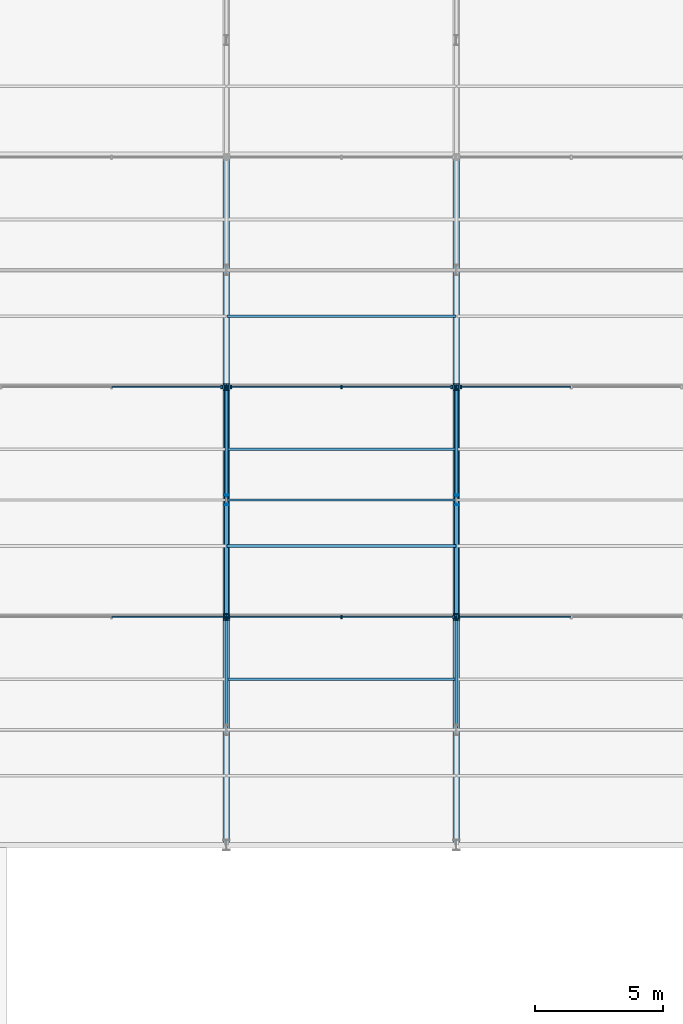
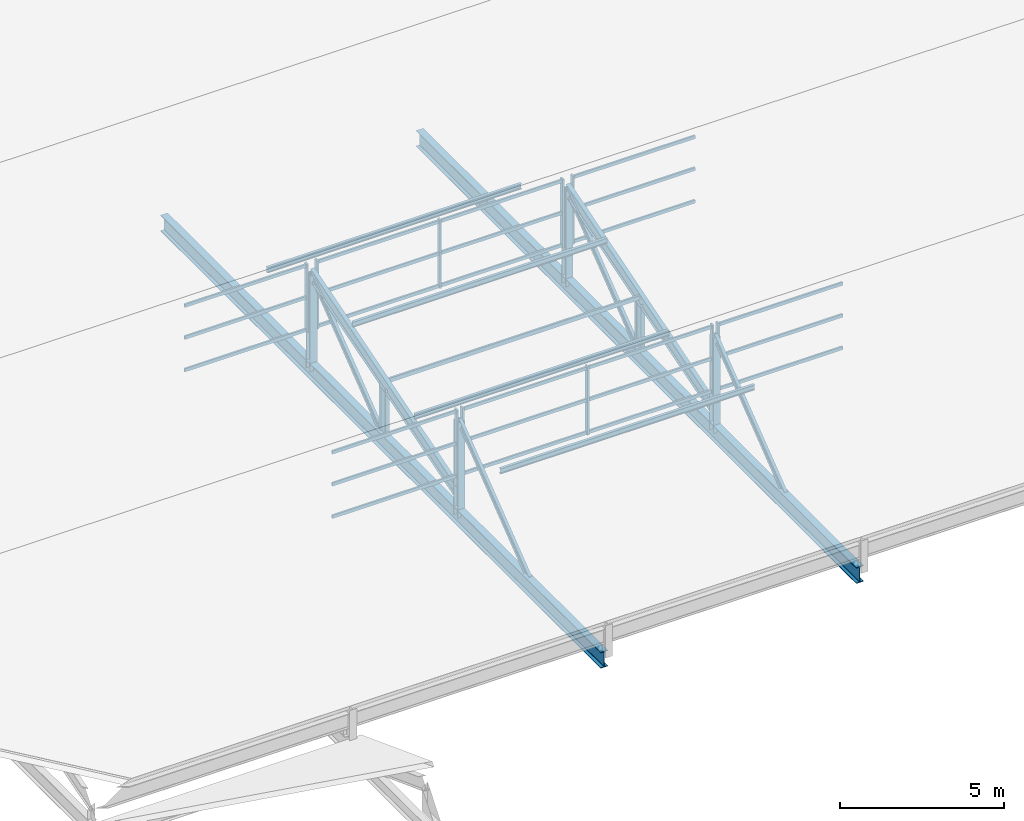
# One storey, part 67 of 163: 51 members, 2 beams, 6 elements without a shape of their own.
"""IFC4 building model written with IfcOpenShell, lengths in metres."""

from ifc_helpers import new_model, si_unit, direction, frame, origin, origin_2d, place, context, subcontext, project, spatial, rectangle, hollow_rectangle, i_section, extrude, material, material_profile, profile_set, type_object, element, aggregate, save


model = new_model("IFC4")

# Units and contexts
model_context = context("Model", 3, precision=1e-05, world=origin(), true_north=direction((0.0, 1.0)))
body_context = subcontext(model_context, "Body", "Model", "MODEL_VIEW")
ifc_project = project(units=[si_unit("LENGTHUNIT", "METRE"), si_unit("AREAUNIT", "SQUARE_METRE"), si_unit("VOLUMEUNIT", "CUBIC_METRE"), si_unit("PLANEANGLEUNIT", "RADIAN"), si_unit("MASSUNIT", "GRAM", prefix="KILO")], contexts=[model_context])

# Site, building, storey
site_placement = place(None, origin())
site = spatial("IfcSite", under=ifc_project, at=site_placement, CompositionType="ELEMENT")
building_placement = place(site_placement, origin())
building = spatial("IfcBuilding", under=site, at=building_placement, Name="Tharagai Park Tramway Depot", CompositionType="ELEMENT")
storey_placement = place(building_placement, frame((0.0, 0.0, 8.39990234375)))
storey = spatial("IfcBuildingStorey", under=building, at=storey_placement, Name="L02", CompositionType="ELEMENT", Elevation=8.39990234375)

# Beams
ifc_material_1 = material(Name="Steel E350", Category="steel")
ifc_material_profile_1 = material_profile(ifc_material_1, i_section(OverallWidth=0.25, OverallDepth=0.60009765625, WebThickness=0.01171875, FlangeThickness=0.023681640625, FilletRadius=0.01708984375, at=origin_2d()), Name="ISWB 600")
ifc_profile_set_1 = profile_set([ifc_material_profile_1], Name="Steel E350")
beam_type = type_object("IfcBeamType", Name="BM-01", PredefinedType="BEAM", material=ifc_profile_set_1)
for number, where, z_axis, x_axis, name in (
    (1, (99.0, 90.080078125, -0.25), (0.0, 1.0, 0.0), (-1.0, 0.0, 0.0), "Sawtooth Truss Bottom Tie Girder BM-01"),
    (2, (108.0, 90.080078125, -0.25), (0.0, 1.0, 0.0), (-1.0, 0.0, 0.0), "Sawtooth Truss Bottom Tie Girder BM-01"),
):
    element("IfcBeam", number, at=place(storey_placement, frame(where, z_axis=z_axis, x_axis=x_axis)), inside=storey, type_object=beam_type, Name=name, PredefinedType="BEAM", context=body_context, shape_type="SweptSolid", body=[
        extrude(i_section(OverallWidth=0.25, OverallDepth=0.60009765625, WebThickness=0.01171875, FlangeThickness=0.023681640625, FilletRadius=0.01708984375, at=origin_2d()), origin(), (0.0, 0.0, 1.0), 26.83984375),
    ])

# Members
ifc_material_profile_2 = material_profile(ifc_material_1, i_section(OverallWidth=0.25, OverallDepth=0.25, WebThickness=0.0087890625, FlangeThickness=0.009765625, FilletRadius=0.010009765625, at=origin_2d()), Name="ISHB 250")
ifc_profile_set_2 = profile_set([ifc_material_profile_2], Name="Steel E350")
member_type_1 = type_object("IfcMemberType", Name="BR-01", PredefinedType="BRACE", material=ifc_profile_set_2)
for number, where, z_axis, x_axis, name in (
    (3, (99.0, 98.919921875, -0.25), (0.0, 0.0, 1.0), (1.0, 0.0, 0.0), "Sawtooth North Vertical Post BR-01"),
    (4, (99.0, 107.919921875, -0.25), (0.0, 0.0, 1.0), (1.0, 0.0, 0.0), "Sawtooth North Vertical Post BR-01"),
    (5, (108.0, 98.919921875, -0.25), (0.0, 0.0, 1.0), (1.0, 0.0, 0.0), "Sawtooth North Vertical Post BR-01"),
    (6, (108.0, 107.919921875, -0.25), (0.0, 0.0, 1.0), (1.0, 0.0, 0.0), "Sawtooth North Vertical Post BR-01"),
):
    element("IfcMember", number, at=place(storey_placement, frame(where, z_axis=z_axis, x_axis=x_axis)), inside=storey, type_object=member_type_1, Name=name, PredefinedType="BRACE", context=body_context, shape_type="SweptSolid", body=[
        extrude(i_section(OverallWidth=0.25, OverallDepth=0.25, WebThickness=0.0087890625, FlangeThickness=0.009765625, FilletRadius=0.010009765625, at=origin_2d()), origin(), (0.0, 0.0, 1.0), 3.55517578125),
    ])
ifc_material_profile_3 = material_profile(ifc_material_1, i_section(OverallWidth=0.110107421875, OverallDepth=0.22509765625, WebThickness=0.006591796875, FlangeThickness=0.01171875, FilletRadius=0.011962890625, at=origin_2d()), Name="ISMB 225")
ifc_profile_set_3 = profile_set([ifc_material_profile_3], Name="Steel E350")
member_type_2 = type_object("IfcMemberType", Name="BR-04", PredefinedType="BRACE", material=ifc_profile_set_3)
for number, where, z_axis, x_axis, name in (
    (7, (99.0, 94.64990234375, 0.0), (0.0, 0.790781596, 0.612098413188), (-1.0, 0.0, 0.0), "Sawtooth Truss Web Diagonal BR-04"),
    (8, (99.0, 103.64990234375, 0.0), (0.0, 0.790781596, 0.612098413188), (-1.0, 0.0, 0.0), "Sawtooth Truss Web Diagonal BR-04"),
    (9, (108.0, 94.64990234375, 0.0), (0.0, 0.790781596, 0.612098413188), (-1.0, 0.0, 0.0), "Sawtooth Truss Web Diagonal BR-04"),
    (10, (108.0, 103.64990234375, 0.0), (0.0, 0.790781596, 0.612098413188), (-1.0, 0.0, 0.0), "Sawtooth Truss Web Diagonal BR-04"),
):
    element("IfcMember", number, at=place(storey_placement, frame(where, z_axis=z_axis, x_axis=x_axis)), inside=storey, type_object=member_type_2, Name=name, PredefinedType="BRACE", context=body_context, shape_type="SweptSolid", body=[
        extrude(i_section(OverallWidth=0.110107421875, OverallDepth=0.22509765625, WebThickness=0.006591796875, FlangeThickness=0.01171875, FilletRadius=0.011962890625, at=origin_2d()), origin(), (0.0, 0.0, 1.0), 5.399658203125),
    ])

# Curtain wall, members
ifc_material_2 = material(Name="Anodised aluminium", Category="aluminium")
curtain_wall_type_1 = type_object("IfcCurtainWallType", Name="CW-04", PredefinedType="NOTDEFINED", material=ifc_material_2)
curtain_wall_1_placement = place(storey_placement, origin())
curtain_wall_1 = element("IfcCurtainWall", 11, at=curtain_wall_1_placement, inside=storey, type_object=curtain_wall_type_1, Name="Sawtooth North-Light Clerestory CW-04", PredefinedType="NOTDEFINED")
ifc_material_profile_4 = material_profile(ifc_material_2, rectangle(XDim=0.06494140625, YDim=0.1201171875, at=origin_2d()), Name="ALU 65x120")
ifc_profile_set_4 = profile_set([ifc_material_profile_4], Name="Anodised aluminium")
member_type_3 = type_object("IfcMemberType", Name="CM-01", PredefinedType="USERDEFINED", material=ifc_profile_set_4)
member_1_placement = place(storey_placement, frame((94.514892578125, 98.919921875, 1.26513671875), z_axis=(1.0, 0.0, 0.0), x_axis=(0.0, 1.0, 0.0)))
member_1 = element("IfcMember", 12, at=member_1_placement, type_object=member_type_3, Name="Sawtooth North-Light Clerestory Transom 2.1", ObjectType="TRANSOM", PredefinedType="USERDEFINED", context=body_context, shape_type="SweptSolid", body=[
    extrude(rectangle(XDim=0.06494140625, YDim=0.1201171875, at=origin_2d()), origin(), (0.0, 0.0, 1.0), 4.3701171875),
])
member_2_placement = place(storey_placement, frame((94.514892578125, 98.919921875, 2.4736328125), z_axis=(1.0, 0.0, 0.0), x_axis=(0.0, 1.0, 0.0)))
member_2 = element("IfcMember", 13, at=member_2_placement, type_object=member_type_3, Name="Sawtooth North-Light Clerestory Transom 2.2", ObjectType="TRANSOM", PredefinedType="USERDEFINED", context=body_context, shape_type="SweptSolid", body=[
    extrude(rectangle(XDim=0.06494140625, YDim=0.1201171875, at=origin_2d()), origin(), (0.0, 0.0, 1.0), 4.3701171875),
])
member_3_placement = place(storey_placement, frame((94.514892578125, 98.919921875, 3.662353515625), z_axis=(1.0, 0.0, 0.0), x_axis=(0.0, 1.0, 0.0)))
member_3 = element("IfcMember", 14, at=member_3_placement, type_object=member_type_3, Name="Sawtooth North-Light Clerestory Transom 2.3", ObjectType="TRANSOM", PredefinedType="USERDEFINED", context=body_context, shape_type="SweptSolid", body=[
    extrude(rectangle(XDim=0.06494140625, YDim=0.1201171875, at=origin_2d()), origin(), (0.0, 0.0, 1.0), 4.3701171875),
])

curtain_wall_2_placement = place(storey_placement, origin())
curtain_wall_2 = element("IfcCurtainWall", 15, at=curtain_wall_2_placement, inside=storey, type_object=curtain_wall_type_1, Name="Sawtooth North-Light Clerestory CW-04", PredefinedType="NOTDEFINED")
member_4_placement = place(storey_placement, frame((99.114990234375, 98.919921875, 1.26513671875), z_axis=(1.0, 0.0, 0.0), x_axis=(0.0, 1.0, 0.0)))
member_4 = element("IfcMember", 16, at=member_4_placement, type_object=member_type_3, Name="Sawtooth North-Light Clerestory Transom 1.1", ObjectType="TRANSOM", PredefinedType="USERDEFINED", context=body_context, shape_type="SweptSolid", body=[
    extrude(rectangle(XDim=0.06494140625, YDim=0.1201171875, at=origin_2d()), origin(), (0.0, 0.0, 1.0), 4.3701171875),
])
member_5_placement = place(storey_placement, frame((99.114990234375, 98.919921875, 2.4736328125), z_axis=(1.0, 0.0, 0.0), x_axis=(0.0, 1.0, 0.0)))
member_5 = element("IfcMember", 17, at=member_5_placement, type_object=member_type_3, Name="Sawtooth North-Light Clerestory Transom 1.2", ObjectType="TRANSOM", PredefinedType="USERDEFINED", context=body_context, shape_type="SweptSolid", body=[
    extrude(rectangle(XDim=0.06494140625, YDim=0.1201171875, at=origin_2d()), origin(), (0.0, 0.0, 1.0), 4.3701171875),
])
member_6_placement = place(storey_placement, frame((99.114990234375, 98.919921875, 3.662353515625), z_axis=(1.0, 0.0, 0.0), x_axis=(0.0, 1.0, 0.0)))
member_6 = element("IfcMember", 18, at=member_6_placement, type_object=member_type_3, Name="Sawtooth North-Light Clerestory Transom 1.3", ObjectType="TRANSOM", PredefinedType="USERDEFINED", context=body_context, shape_type="SweptSolid", body=[
    extrude(rectangle(XDim=0.06494140625, YDim=0.1201171875, at=origin_2d()), origin(), (0.0, 0.0, 1.0), 4.3701171875),
])
member_7_placement = place(storey_placement, frame((103.514892578125, 98.919921875, 1.26513671875), z_axis=(1.0, 0.0, 0.0), x_axis=(0.0, 1.0, 0.0)))
member_7 = element("IfcMember", 19, at=member_7_placement, type_object=member_type_3, Name="Sawtooth North-Light Clerestory Transom 2.1", ObjectType="TRANSOM", PredefinedType="USERDEFINED", context=body_context, shape_type="SweptSolid", body=[
    extrude(rectangle(XDim=0.06494140625, YDim=0.1201171875, at=origin_2d()), origin(), (0.0, 0.0, 1.0), 4.3701171875),
])
member_8_placement = place(storey_placement, frame((103.514892578125, 98.919921875, 2.4736328125), z_axis=(1.0, 0.0, 0.0), x_axis=(0.0, 1.0, 0.0)))
member_8 = element("IfcMember", 20, at=member_8_placement, type_object=member_type_3, Name="Sawtooth North-Light Clerestory Transom 2.2", ObjectType="TRANSOM", PredefinedType="USERDEFINED", context=body_context, shape_type="SweptSolid", body=[
    extrude(rectangle(XDim=0.06494140625, YDim=0.1201171875, at=origin_2d()), origin(), (0.0, 0.0, 1.0), 4.3701171875),
])
member_9_placement = place(storey_placement, frame((103.514892578125, 98.919921875, 3.662353515625), z_axis=(1.0, 0.0, 0.0), x_axis=(0.0, 1.0, 0.0)))
member_9 = element("IfcMember", 21, at=member_9_placement, type_object=member_type_3, Name="Sawtooth North-Light Clerestory Transom 2.3", ObjectType="TRANSOM", PredefinedType="USERDEFINED", context=body_context, shape_type="SweptSolid", body=[
    extrude(rectangle(XDim=0.06494140625, YDim=0.1201171875, at=origin_2d()), origin(), (0.0, 0.0, 1.0), 4.3701171875),
])

curtain_wall_3_placement = place(storey_placement, origin())
curtain_wall_3 = element("IfcCurtainWall", 22, at=curtain_wall_3_placement, inside=storey, type_object=curtain_wall_type_1, Name="Sawtooth North-Light Clerestory CW-04", PredefinedType="NOTDEFINED")
member_10_placement = place(storey_placement, frame((108.114990234375, 98.919921875, 1.26513671875), z_axis=(1.0, 0.0, 0.0), x_axis=(0.0, 1.0, 0.0)))
member_10 = element("IfcMember", 23, at=member_10_placement, type_object=member_type_3, Name="Sawtooth North-Light Clerestory Transom 1.1", ObjectType="TRANSOM", PredefinedType="USERDEFINED", context=body_context, shape_type="SweptSolid", body=[
    extrude(rectangle(XDim=0.06494140625, YDim=0.1201171875, at=origin_2d()), origin(), (0.0, 0.0, 1.0), 4.3701171875),
])
member_11_placement = place(storey_placement, frame((108.114990234375, 98.919921875, 2.4736328125), z_axis=(1.0, 0.0, 0.0), x_axis=(0.0, 1.0, 0.0)))
member_11 = element("IfcMember", 24, at=member_11_placement, type_object=member_type_3, Name="Sawtooth North-Light Clerestory Transom 1.2", ObjectType="TRANSOM", PredefinedType="USERDEFINED", context=body_context, shape_type="SweptSolid", body=[
    extrude(rectangle(XDim=0.06494140625, YDim=0.1201171875, at=origin_2d()), origin(), (0.0, 0.0, 1.0), 4.3701171875),
])
member_12_placement = place(storey_placement, frame((108.114990234375, 98.919921875, 3.662353515625), z_axis=(1.0, 0.0, 0.0), x_axis=(0.0, 1.0, 0.0)))
member_12 = element("IfcMember", 25, at=member_12_placement, type_object=member_type_3, Name="Sawtooth North-Light Clerestory Transom 1.3", ObjectType="TRANSOM", PredefinedType="USERDEFINED", context=body_context, shape_type="SweptSolid", body=[
    extrude(rectangle(XDim=0.06494140625, YDim=0.1201171875, at=origin_2d()), origin(), (0.0, 0.0, 1.0), 4.3701171875),
])

curtain_wall_type_2 = type_object("IfcCurtainWallType", Name="CW-03", PredefinedType="NOTDEFINED", material=ifc_material_2)
curtain_wall_4_placement = place(storey_placement, origin())
curtain_wall_4 = element("IfcCurtainWall", 26, at=curtain_wall_4_placement, inside=storey, type_object=curtain_wall_type_2, Name="Sawtooth North-Light Clerestory CW-03", PredefinedType="NOTDEFINED")
member_13_placement = place(storey_placement, frame((94.514892578125, 107.919921875, 1.26513671875), z_axis=(1.0, 0.0, 0.0), x_axis=(0.0, 1.0, 0.0)))
member_13 = element("IfcMember", 27, at=member_13_placement, type_object=member_type_3, Name="Sawtooth North-Light Clerestory Transom 2.1", ObjectType="TRANSOM", PredefinedType="USERDEFINED", context=body_context, shape_type="SweptSolid", body=[
    extrude(rectangle(XDim=0.06494140625, YDim=0.1201171875, at=origin_2d()), origin(), (0.0, 0.0, 1.0), 4.2900390625),
])
member_14_placement = place(storey_placement, frame((94.514892578125, 107.919921875, 2.4736328125), z_axis=(1.0, 0.0, 0.0), x_axis=(0.0, 1.0, 0.0)))
member_14 = element("IfcMember", 28, at=member_14_placement, type_object=member_type_3, Name="Sawtooth North-Light Clerestory Transom 2.2", ObjectType="TRANSOM", PredefinedType="USERDEFINED", context=body_context, shape_type="SweptSolid", body=[
    extrude(rectangle(XDim=0.06494140625, YDim=0.1201171875, at=origin_2d()), origin(), (0.0, 0.0, 1.0), 4.2900390625),
])
member_15_placement = place(storey_placement, frame((94.514892578125, 107.919921875, 3.662353515625), z_axis=(1.0, 0.0, 0.0), x_axis=(0.0, 1.0, 0.0)))
member_15 = element("IfcMember", 29, at=member_15_placement, type_object=member_type_3, Name="Sawtooth North-Light Clerestory Transom 2.3", ObjectType="TRANSOM", PredefinedType="USERDEFINED", context=body_context, shape_type="SweptSolid", body=[
    extrude(rectangle(XDim=0.06494140625, YDim=0.1201171875, at=origin_2d()), origin(), (0.0, 0.0, 1.0), 4.2900390625),
])

curtain_wall_5_placement = place(storey_placement, origin())
curtain_wall_5 = element("IfcCurtainWall", 30, at=curtain_wall_5_placement, inside=storey, type_object=curtain_wall_type_2, Name="Sawtooth North-Light Clerestory CW-03", PredefinedType="NOTDEFINED")
member_16_placement = place(storey_placement, frame((99.195068359375, 107.919921875, 1.26513671875), z_axis=(1.0, 0.0, 0.0), x_axis=(0.0, 1.0, 0.0)))
member_16 = element("IfcMember", 31, at=member_16_placement, type_object=member_type_3, Name="Sawtooth North-Light Clerestory Transom 1.1", ObjectType="TRANSOM", PredefinedType="USERDEFINED", context=body_context, shape_type="SweptSolid", body=[
    extrude(rectangle(XDim=0.06494140625, YDim=0.1201171875, at=origin_2d()), origin(), (0.0, 0.0, 1.0), 4.2900390625),
])
member_17_placement = place(storey_placement, frame((99.195068359375, 107.919921875, 2.4736328125), z_axis=(1.0, 0.0, 0.0), x_axis=(0.0, 1.0, 0.0)))
member_17 = element("IfcMember", 32, at=member_17_placement, type_object=member_type_3, Name="Sawtooth North-Light Clerestory Transom 1.2", ObjectType="TRANSOM", PredefinedType="USERDEFINED", context=body_context, shape_type="SweptSolid", body=[
    extrude(rectangle(XDim=0.06494140625, YDim=0.1201171875, at=origin_2d()), origin(), (0.0, 0.0, 1.0), 4.2900390625),
])
member_18_placement = place(storey_placement, frame((99.195068359375, 107.919921875, 3.662353515625), z_axis=(1.0, 0.0, 0.0), x_axis=(0.0, 1.0, 0.0)))
member_18 = element("IfcMember", 33, at=member_18_placement, type_object=member_type_3, Name="Sawtooth North-Light Clerestory Transom 1.3", ObjectType="TRANSOM", PredefinedType="USERDEFINED", context=body_context, shape_type="SweptSolid", body=[
    extrude(rectangle(XDim=0.06494140625, YDim=0.1201171875, at=origin_2d()), origin(), (0.0, 0.0, 1.0), 4.2900390625),
])
member_19_placement = place(storey_placement, frame((103.514892578125, 107.919921875, 1.26513671875), z_axis=(1.0, 0.0, 0.0), x_axis=(0.0, 1.0, 0.0)))
member_19 = element("IfcMember", 34, at=member_19_placement, type_object=member_type_3, Name="Sawtooth North-Light Clerestory Transom 2.1", ObjectType="TRANSOM", PredefinedType="USERDEFINED", context=body_context, shape_type="SweptSolid", body=[
    extrude(rectangle(XDim=0.06494140625, YDim=0.1201171875, at=origin_2d()), origin(), (0.0, 0.0, 1.0), 4.2900390625),
])
member_20_placement = place(storey_placement, frame((103.514892578125, 107.919921875, 2.4736328125), z_axis=(1.0, 0.0, 0.0), x_axis=(0.0, 1.0, 0.0)))
member_20 = element("IfcMember", 35, at=member_20_placement, type_object=member_type_3, Name="Sawtooth North-Light Clerestory Transom 2.2", ObjectType="TRANSOM", PredefinedType="USERDEFINED", context=body_context, shape_type="SweptSolid", body=[
    extrude(rectangle(XDim=0.06494140625, YDim=0.1201171875, at=origin_2d()), origin(), (0.0, 0.0, 1.0), 4.2900390625),
])
member_21_placement = place(storey_placement, frame((103.514892578125, 107.919921875, 3.662353515625), z_axis=(1.0, 0.0, 0.0), x_axis=(0.0, 1.0, 0.0)))
member_21 = element("IfcMember", 36, at=member_21_placement, type_object=member_type_3, Name="Sawtooth North-Light Clerestory Transom 2.3", ObjectType="TRANSOM", PredefinedType="USERDEFINED", context=body_context, shape_type="SweptSolid", body=[
    extrude(rectangle(XDim=0.06494140625, YDim=0.1201171875, at=origin_2d()), origin(), (0.0, 0.0, 1.0), 4.2900390625),
])

curtain_wall_6_placement = place(storey_placement, origin())
curtain_wall_6 = element("IfcCurtainWall", 37, at=curtain_wall_6_placement, inside=storey, type_object=curtain_wall_type_2, Name="Sawtooth North-Light Clerestory CW-03", PredefinedType="NOTDEFINED")
member_22_placement = place(storey_placement, frame((108.195068359375, 107.919921875, 1.26513671875), z_axis=(1.0, 0.0, 0.0), x_axis=(0.0, 1.0, 0.0)))
member_22 = element("IfcMember", 38, at=member_22_placement, type_object=member_type_3, Name="Sawtooth North-Light Clerestory Transom 1.1", ObjectType="TRANSOM", PredefinedType="USERDEFINED", context=body_context, shape_type="SweptSolid", body=[
    extrude(rectangle(XDim=0.06494140625, YDim=0.1201171875, at=origin_2d()), origin(), (0.0, 0.0, 1.0), 4.2900390625),
])
member_23_placement = place(storey_placement, frame((108.195068359375, 107.919921875, 2.4736328125), z_axis=(1.0, 0.0, 0.0), x_axis=(0.0, 1.0, 0.0)))
member_23 = element("IfcMember", 39, at=member_23_placement, type_object=member_type_3, Name="Sawtooth North-Light Clerestory Transom 1.2", ObjectType="TRANSOM", PredefinedType="USERDEFINED", context=body_context, shape_type="SweptSolid", body=[
    extrude(rectangle(XDim=0.06494140625, YDim=0.1201171875, at=origin_2d()), origin(), (0.0, 0.0, 1.0), 4.2900390625),
])
member_24_placement = place(storey_placement, frame((108.195068359375, 107.919921875, 3.662353515625), z_axis=(1.0, 0.0, 0.0), x_axis=(0.0, 1.0, 0.0)))
member_24 = element("IfcMember", 40, at=member_24_placement, type_object=member_type_3, Name="Sawtooth North-Light Clerestory Transom 1.3", ObjectType="TRANSOM", PredefinedType="USERDEFINED", context=body_context, shape_type="SweptSolid", body=[
    extrude(rectangle(XDim=0.06494140625, YDim=0.1201171875, at=origin_2d()), origin(), (0.0, 0.0, 1.0), 4.2900390625),
])

# Member
ifc_material_profile_5 = material_profile(ifc_material_2, rectangle(XDim=0.06494140625, YDim=0.14990234375, at=origin_2d()), Name="ALU 65x150")
ifc_profile_set_5 = profile_set([ifc_material_profile_5], Name="Anodised aluminium")
member_type_4 = type_object("IfcMemberType", Name="CM-03", PredefinedType="MULLION", material=ifc_profile_set_5)
member_25_placement = place(storey_placement, frame((98.89990234375, 98.919921875, 1.2001953125), z_axis=(0.0, 0.0, 1.0), x_axis=(1.0, 0.0, 0.0)))
member_25 = element("IfcMember", 41, at=member_25_placement, type_object=member_type_4, Name="Sawtooth North-Light Clerestory Mullion 3", PredefinedType="MULLION", context=body_context, shape_type="SweptSolid", body=[
    extrude(rectangle(XDim=0.06494140625, YDim=0.14990234375, at=origin_2d()), origin(), (0.0, 0.0, 1.0), 2.547119140625),
])

aggregate(curtain_wall_1, [member_25, member_1, member_2, member_3])

member_26_placement = place(storey_placement, frame((99.10009765625, 98.919921875, 1.2001953125), z_axis=(0.0, 0.0, 1.0), x_axis=(1.0, 0.0, 0.0)))
member_26 = element("IfcMember", 42, at=member_26_placement, type_object=member_type_4, Name="Sawtooth North-Light Clerestory Mullion 1", PredefinedType="MULLION", context=body_context, shape_type="SweptSolid", body=[
    extrude(rectangle(XDim=0.06494140625, YDim=0.14990234375, at=origin_2d()), origin(), (0.0, 0.0, 1.0), 2.547119140625),
])

member_27_placement = place(storey_placement, frame((103.5, 98.919921875, 1.2001953125), z_axis=(0.0, 0.0, 1.0), x_axis=(1.0, 0.0, 0.0)))
member_27 = element("IfcMember", 43, at=member_27_placement, type_object=member_type_4, Name="Sawtooth North-Light Clerestory Mullion 2", PredefinedType="MULLION", context=body_context, shape_type="SweptSolid", body=[
    extrude(rectangle(XDim=0.06494140625, YDim=0.14990234375, at=origin_2d()), origin(), (0.0, 0.0, 1.0), 2.547119140625),
])

member_28_placement = place(storey_placement, frame((107.89990234375, 98.919921875, 1.2001953125), z_axis=(0.0, 0.0, 1.0), x_axis=(1.0, 0.0, 0.0)))
member_28 = element("IfcMember", 44, at=member_28_placement, type_object=member_type_4, Name="Sawtooth North-Light Clerestory Mullion 3", PredefinedType="MULLION", context=body_context, shape_type="SweptSolid", body=[
    extrude(rectangle(XDim=0.06494140625, YDim=0.14990234375, at=origin_2d()), origin(), (0.0, 0.0, 1.0), 2.547119140625),
])

aggregate(curtain_wall_2, [member_26, member_27, member_28, member_4, member_5, member_6, member_7, member_8, member_9])

member_29_placement = place(storey_placement, frame((108.10009765625, 98.919921875, 1.2001953125), z_axis=(0.0, 0.0, 1.0), x_axis=(1.0, 0.0, 0.0)))
member_29 = element("IfcMember", 45, at=member_29_placement, type_object=member_type_4, Name="Sawtooth North-Light Clerestory Mullion 1", PredefinedType="MULLION", context=body_context, shape_type="SweptSolid", body=[
    extrude(rectangle(XDim=0.06494140625, YDim=0.14990234375, at=origin_2d()), origin(), (0.0, 0.0, 1.0), 2.547119140625),
])

aggregate(curtain_wall_3, [member_29, member_10, member_11, member_12])

member_30_placement = place(storey_placement, frame((98.820068359375, 107.919921875, 1.2001953125), z_axis=(0.0, 0.0, 1.0), x_axis=(1.0, 0.0, 0.0)))
member_30 = element("IfcMember", 46, at=member_30_placement, type_object=member_type_4, Name="Sawtooth North-Light Clerestory Mullion 3", PredefinedType="MULLION", context=body_context, shape_type="SweptSolid", body=[
    extrude(rectangle(XDim=0.06494140625, YDim=0.14990234375, at=origin_2d()), origin(), (0.0, 0.0, 1.0), 2.547119140625),
])

aggregate(curtain_wall_4, [member_30, member_13, member_14, member_15])

member_31_placement = place(storey_placement, frame((99.179931640625, 107.919921875, 1.2001953125), z_axis=(0.0, 0.0, 1.0), x_axis=(1.0, 0.0, 0.0)))
member_31 = element("IfcMember", 47, at=member_31_placement, type_object=member_type_4, Name="Sawtooth North-Light Clerestory Mullion 1", PredefinedType="MULLION", context=body_context, shape_type="SweptSolid", body=[
    extrude(rectangle(XDim=0.06494140625, YDim=0.14990234375, at=origin_2d()), origin(), (0.0, 0.0, 1.0), 2.547119140625),
])

member_32_placement = place(storey_placement, frame((103.5, 107.919921875, 1.2001953125), z_axis=(0.0, 0.0, 1.0), x_axis=(1.0, 0.0, 0.0)))
member_32 = element("IfcMember", 48, at=member_32_placement, type_object=member_type_4, Name="Sawtooth North-Light Clerestory Mullion 2", PredefinedType="MULLION", context=body_context, shape_type="SweptSolid", body=[
    extrude(rectangle(XDim=0.06494140625, YDim=0.14990234375, at=origin_2d()), origin(), (0.0, 0.0, 1.0), 2.547119140625),
])

member_33_placement = place(storey_placement, frame((107.820068359375, 107.919921875, 1.2001953125), z_axis=(0.0, 0.0, 1.0), x_axis=(1.0, 0.0, 0.0)))
member_33 = element("IfcMember", 49, at=member_33_placement, type_object=member_type_4, Name="Sawtooth North-Light Clerestory Mullion 3", PredefinedType="MULLION", context=body_context, shape_type="SweptSolid", body=[
    extrude(rectangle(XDim=0.06494140625, YDim=0.14990234375, at=origin_2d()), origin(), (0.0, 0.0, 1.0), 2.547119140625),
])

aggregate(curtain_wall_5, [member_31, member_32, member_33, member_16, member_17, member_18, member_19, member_20, member_21])

member_34_placement = place(storey_placement, frame((108.179931640625, 107.919921875, 1.2001953125), z_axis=(0.0, 0.0, 1.0), x_axis=(1.0, 0.0, 0.0)))
member_34 = element("IfcMember", 50, at=member_34_placement, type_object=member_type_4, Name="Sawtooth North-Light Clerestory Mullion 1", PredefinedType="MULLION", context=body_context, shape_type="SweptSolid", body=[
    extrude(rectangle(XDim=0.06494140625, YDim=0.14990234375, at=origin_2d()), origin(), (0.0, 0.0, 1.0), 2.547119140625),
])

aggregate(curtain_wall_6, [member_34, member_22, member_23, member_24])

# Members
ifc_material_3 = material(Name="Steel E250", Category="steel")
ifc_material_profile_6 = material_profile(ifc_material_3, hollow_rectangle(XDim=0.080078125, YDim=0.159912109375, WallThickness=0.0048828125, InnerFilletRadius=0.0048828125, OuterFilletRadius=0.010009765625, at=origin_2d()), Name="RHS 160x80x5")
ifc_profile_set_6 = profile_set([ifc_material_profile_6], Name="Steel E250")
member_type_5 = type_object("IfcMemberType", Name="PR-02", PredefinedType="PURLIN", material=ifc_profile_set_6)
member_35_placement = place(storey_placement, frame((99.02001953125, 103.5, 1.946533203125), z_axis=(1.0, 0.0, 0.0), x_axis=(0.0, 1.0, 0.0)))
element("IfcMember", 51, at=member_35_placement, inside=storey, type_object=member_type_5, Name="Sawtooth Tubular Tie Strut PR-02", PredefinedType="PURLIN", context=body_context, shape_type="SweptSolid", body=[
    extrude(hollow_rectangle(XDim=0.080078125, YDim=0.159912109375, WallThickness=0.0048828125, InnerFilletRadius=0.0048828125, OuterFilletRadius=0.010009765625, at=origin_2d()), origin(), (0.0, 0.0, 1.0), 8.9599609375),
])
ifc_material_profile_7 = material_profile(ifc_material_3, i_section(OverallWidth=0.10009765625, OverallDepth=0.199951171875, WebThickness=0.00537109375, FlangeThickness=0.00732421875, FilletRadius=0.009033203125, at=origin_2d()), Name="ISLB 200")
ifc_profile_set_7 = profile_set([ifc_material_profile_7], Name="Steel E250")
member_type_6 = type_object("IfcMemberType", Name="PR-03", PredefinedType="PURLIN", material=ifc_profile_set_7)
for number, where, z_axis, x_axis, name in (
    (52, (99.02001953125, 101.699951171875, 1.733154296875), (1.0, 0.0, 0.0), (0.0, 1.0, 0.0), "Sawtooth Roof Purlin PR-03"),
    (53, (99.02001953125, 105.47998046875, 2.87451171875), (1.0, 0.0, 0.0), (0.0, 1.0, 0.0), "Sawtooth Roof Purlin PR-03"),
):
    element("IfcMember", number, at=place(storey_placement, frame(where, z_axis=z_axis, x_axis=x_axis)), inside=storey, type_object=member_type_6, Name=name, PredefinedType="PURLIN", context=body_context, shape_type="SweptSolid", body=[
        extrude(i_section(OverallWidth=0.10009765625, OverallDepth=0.199951171875, WebThickness=0.00537109375, FlangeThickness=0.00732421875, FilletRadius=0.009033203125, at=origin_2d()), origin(), (0.0, 0.0, 1.0), 8.9599609375),
    ])
ifc_material_profile_8 = material_profile(ifc_material_3, i_section(OverallWidth=0.10009765625, OverallDepth=0.199951171875, WebThickness=0.005615234375, FlangeThickness=0.0107421875, FilletRadius=0.010986328125, at=origin_2d()), Name="ISMB 200")
ifc_profile_set_8 = profile_set([ifc_material_profile_8], Name="Steel E250")
member_type_7 = type_object("IfcMemberType", Name="PR-04", PredefinedType="PURLIN", material=ifc_profile_set_8)
for number, where, z_axis, x_axis, name in (
    (54, (99.02001953125, 96.47998046875, 2.87451171875), (1.0, 0.0, 0.0), (0.0, 1.0, 0.0), "Sawtooth Roof Purlin PR-04"),
    (55, (99.02001953125, 110.699951171875, 1.733154296875), (1.0, 0.0, 0.0), (0.0, 1.0, 0.0), "Sawtooth Roof Purlin PR-04"),
):
    element("IfcMember", number, at=place(storey_placement, frame(where, z_axis=z_axis, x_axis=x_axis)), inside=storey, type_object=member_type_7, Name=name, PredefinedType="PURLIN", context=body_context, shape_type="SweptSolid", body=[
        extrude(i_section(OverallWidth=0.10009765625, OverallDepth=0.199951171875, WebThickness=0.005615234375, FlangeThickness=0.0107421875, FilletRadius=0.010986328125, at=origin_2d()), origin(), (0.0, 0.0, 1.0), 8.9599609375),
    ])
ifc_material_profile_9 = material_profile(ifc_material_1, i_section(OverallWidth=0.14990234375, OverallDepth=0.449951171875, WebThickness=0.009521484375, FlangeThickness=0.017333984375, FilletRadius=0.014892578125, at=origin_2d()), Name="ISMB 450")
ifc_profile_set_9 = profile_set([ifc_material_profile_9], Name="Steel E350")
member_type_8 = type_object("IfcMemberType", Name="TC-05", PredefinedType="CHORD", material=ifc_profile_set_9)
for number, where, z_axis, x_axis, name in (
    (56, (99.0, 99.06005859375, 0.587890625), (0.0, 0.956231486327, 0.29261125159), (-1.0, 0.0, 0.0), "Sawtooth Top Chord TC-05"),
    (57, (108.0, 99.06005859375, 0.587890625), (0.0, 0.956231486327, 0.29261125159), (-1.0, 0.0, 0.0), "Sawtooth Top Chord TC-05"),
):
    element("IfcMember", number, at=place(storey_placement, frame(where, z_axis=z_axis, x_axis=x_axis)), inside=storey, type_object=member_type_8, Name=name, PredefinedType="CHORD", context=body_context, shape_type="SweptSolid", body=[
        extrude(i_section(OverallWidth=0.14990234375, OverallDepth=0.449951171875, WebThickness=0.009521484375, FlangeThickness=0.017333984375, FilletRadius=0.014892578125, at=origin_2d()), origin(), (0.0, 0.0, 1.0), 9.286376953125),
    ])
ifc_material_profile_10 = material_profile(ifc_material_1, i_section(OverallWidth=0.139892578125, OverallDepth=0.39990234375, WebThickness=0.0087890625, FlangeThickness=0.01611328125, FilletRadius=0.013916015625, at=origin_2d()), Name="ISMB 400")
ifc_profile_set_10 = profile_set([ifc_material_profile_10], Name="Steel E350")
member_type_9 = type_object("IfcMemberType", Name="TC-06", PredefinedType="CHORD", material=ifc_profile_set_10)
for number, where, z_axis, x_axis, name in (
    (58, (99.0, 103.5, -0.0498046875), (0.0, 0.0, 1.0), (1.0, 0.0, 0.0), "Sawtooth Mid-Tooth Strut TC-06"),
    (59, (108.0, 103.5, -0.0498046875), (0.0, 0.0, 1.0), (1.0, 0.0, 0.0), "Sawtooth Mid-Tooth Strut TC-06"),
):
    element("IfcMember", number, at=place(storey_placement, frame(where, z_axis=z_axis, x_axis=x_axis)), inside=storey, type_object=member_type_9, Name=name, PredefinedType="CHORD", context=body_context, shape_type="SweptSolid", body=[
        extrude(i_section(OverallWidth=0.139892578125, OverallDepth=0.39990234375, WebThickness=0.0087890625, FlangeThickness=0.01611328125, FilletRadius=0.013916015625, at=origin_2d()), origin(), (0.0, 0.0, 1.0), 1.846435546875),
    ])

save(model, "model.ifc")
